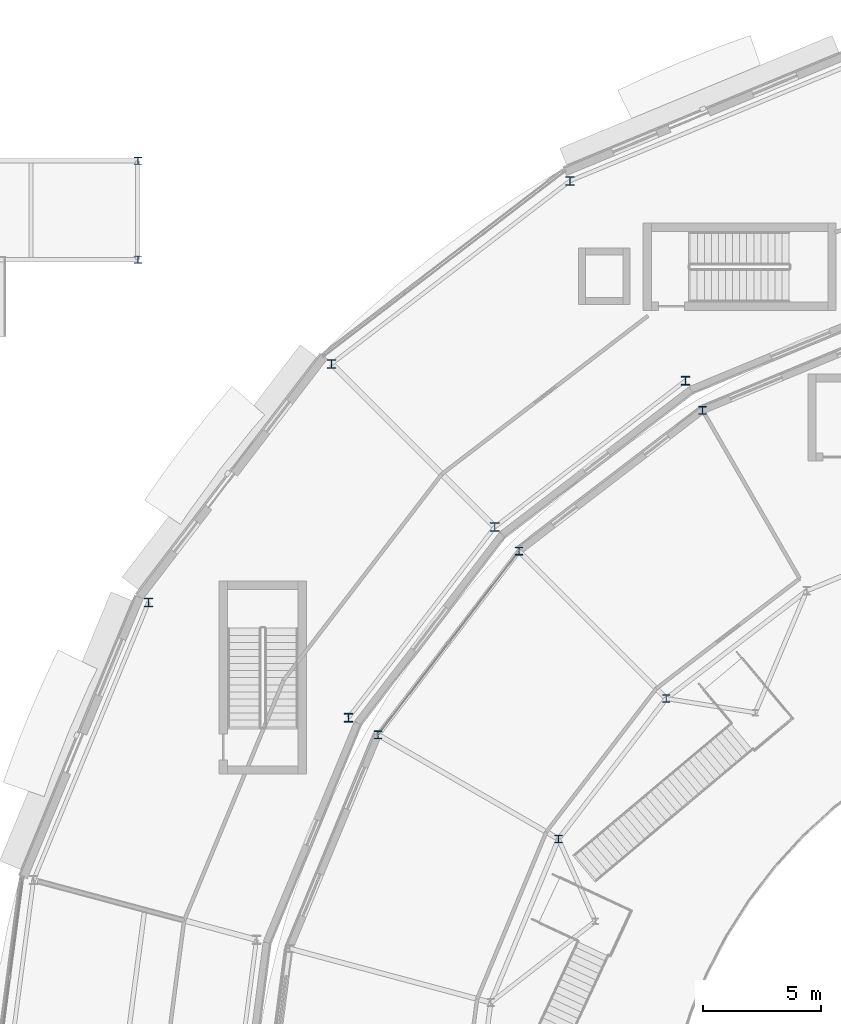
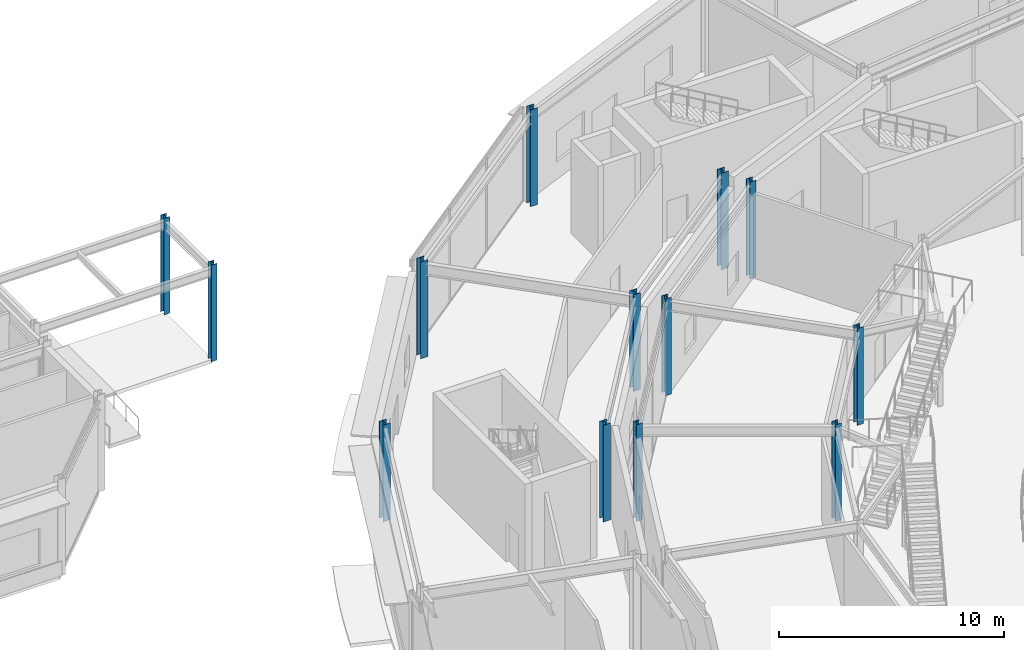
# One storey, part 10 of 168: 13 columns.
"""IFC4 building model written with IfcOpenShell, lengths in metres."""

from ifc_helpers import new_model, si_unit, direction, frame, origin, origin_2d, place, context, subcontext, project, spatial, i_section, extrude, material, material_profile, profile_set, type_object, element, save


model = new_model("IFC4")

# Units and contexts
model_context = context("Model", 3, precision=1e-05, world=origin(), true_north=direction((0.0, 1.0)))
body_context = subcontext(model_context, "Body", "Model", "MODEL_VIEW")
ifc_project = project(units=[si_unit("LENGTHUNIT", "METRE"), si_unit("AREAUNIT", "SQUARE_METRE"), si_unit("VOLUMEUNIT", "CUBIC_METRE"), si_unit("PLANEANGLEUNIT", "RADIAN"), si_unit("MASSUNIT", "GRAM", prefix="KILO")], contexts=[model_context])

# Site, building, storey
site_placement = place(None, origin())
site = spatial("IfcSite", under=ifc_project, at=site_placement, CompositionType="ELEMENT")
building_placement = place(site_placement, origin())
building = spatial("IfcBuilding", under=site, at=building_placement, Name="Almandine Court Research Institute", CompositionType="ELEMENT")
storey_placement = place(building_placement, origin())
storey = spatial("IfcBuildingStorey", under=building, at=storey_placement, Name="L00", CompositionType="ELEMENT", Elevation=0.0)

# Columns
ifc_material = material(Name="Steel ASTM A992 Grade 50", Category="steel")
ifc_material_profile_1 = material_profile(ifc_material, i_section(OverallWidth=0.373046875, OverallDepth=0.367919921875, WebThickness=0.01708984375, FlangeThickness=0.027099609375, at=origin_2d()), Name="W360x179")
ifc_profile_set_1 = profile_set([ifc_material_profile_1], Name="Steel ASTM A992 Grade 50")
column_type_1 = type_object("IfcColumnType", Name="Col-C-W03-E", PredefinedType="COLUMN", material=ifc_profile_set_1)
for number, where, z_axis, x_axis, name in (
    (1, (67.449951171875, 89.862060546875, 0.0), (0.0, 0.0, 1.0), (1.0, 0.0, 0.0), "L00 V5 Column V5-IN-S08"),
    (2, (62.550048828125, 98.34912109375, 0.0), (0.0, 0.0, 1.0), (1.0, 0.0, 0.0), "L00 V5 Column V5-OUT-S08"),
    (3, (59.35205078125, 83.64794921875, 0.0), (0.0, 0.0, 1.0), (1.0, 0.0, 0.0), "L00 V5 Column V5-IN-S09"),
    (4, (52.422119140625, 90.577880859375, 0.0), (0.0, 0.0, 1.0), (1.0, 0.0, 0.0), "L00 V5 Column V5-OUT-S09"),
    (5, (53.137939453125, 75.550048828125, 0.0), (0.0, 0.0, 1.0), (1.0, 0.0, 0.0), "L00 V5 Column V5-IN-S10"),
    (6, (44.65087890625, 80.449951171875, 0.0), (0.0, 0.0, 1.0), (1.0, 0.0, 0.0), "L00 V5 Column V5-OUT-S10"),
):
    element("IfcColumn", number, at=place(storey_placement, frame(where, z_axis=z_axis, x_axis=x_axis)), inside=storey, type_object=column_type_1, Name=name, PredefinedType="COLUMN", context=body_context, shape_type="SweptSolid", body=[
        extrude(i_section(OverallWidth=0.373046875, OverallDepth=0.367919921875, WebThickness=0.01708984375, FlangeThickness=0.027099609375, at=origin_2d()), origin(), (0.0, 0.0, 1.0), 5.25),
    ])
ifc_material_profile_2 = material_profile(ifc_material, i_section(OverallWidth=0.31005859375, OverallDepth=0.326904296875, WebThickness=0.01611328125, FlangeThickness=0.02490234375, at=origin_2d()), Name="W310x158")
ifc_profile_set_2 = profile_set([ifc_material_profile_2], Name="Steel ASTM A992 Grade 50")
column_type_2 = type_object("IfcColumnType", Name="Col-C-W06", PredefinedType="COLUMN", material=ifc_profile_set_2)
for number, where, z_axis, x_axis, name in (
    (7, (68.175048828125, 88.60595703125, 0.0), (0.0, 0.0, 1.0), (1.0, 0.0, 0.0), "L00 V2 Column V2-OUT-S08"),
    (8, (60.376953125, 82.623046875, 0.0), (0.0, 0.0, 1.0), (1.0, 0.0, 0.0), "L00 V2 Column V2-OUT-S09"),
    (9, (54.39404296875, 74.824951171875, 0.0), (0.0, 0.0, 1.0), (1.0, 0.0, 0.0), "L00 V2 Column V2-OUT-S10"),
    (10, (66.635009765625, 76.364990234375, 0.0), (0.0, 0.0, 1.0), (1.0, 0.0, 0.0), "L00 V2 Column V2-MID-S09"),
    (11, (62.05810546875, 70.39990234375, 0.0), (0.0, 0.0, 1.0), (1.0, 0.0, 0.0), "L00 V2 Column V2-MID-S10"),
):
    element("IfcColumn", number, at=place(storey_placement, frame(where, z_axis=z_axis, x_axis=x_axis)), inside=storey, type_object=column_type_2, Name=name, PredefinedType="COLUMN", context=body_context, shape_type="SweptSolid", body=[
        extrude(i_section(OverallWidth=0.31005859375, OverallDepth=0.326904296875, WebThickness=0.01611328125, FlangeThickness=0.02490234375, at=origin_2d()), origin(), (0.0, 0.0, 1.0), 5.25),
    ])
ifc_material_profile_3 = material_profile(ifc_material, i_section(OverallWidth=0.305908203125, OverallDepth=0.31103515625, WebThickness=0.010986328125, FlangeThickness=0.01708984375, at=origin_2d()), Name="W310x107")
ifc_profile_set_3 = profile_set([ifc_material_profile_3], Name="Steel ASTM A992 Grade 50")
column_type_3 = type_object("IfcColumnType", Name="Col-C-W08-E", PredefinedType="COLUMN", material=ifc_profile_set_3)
for number, where, z_axis, x_axis, name in (
    (12, (44.199951171875, 95.0, 0.0), (0.0, 0.0, 1.0), (1.0, 0.0, 0.0), "L00 DAL-NW Column DAL-NW-X2Y1"),
    (13, (44.199951171875, 99.199951171875, 0.0), (0.0, 0.0, 1.0), (1.0, 0.0, 0.0), "L00 DAL-NW Column DAL-NW-X2Y2"),
):
    element("IfcColumn", number, at=place(storey_placement, frame(where, z_axis=z_axis, x_axis=x_axis)), inside=storey, type_object=column_type_3, Name=name, PredefinedType="COLUMN", context=body_context, shape_type="SweptSolid", body=[
        extrude(i_section(OverallWidth=0.305908203125, OverallDepth=0.31103515625, WebThickness=0.010986328125, FlangeThickness=0.01708984375, at=origin_2d()), origin(), (0.0, 0.0, 1.0), 5.25),
    ])

save(model, "model.ifc")
